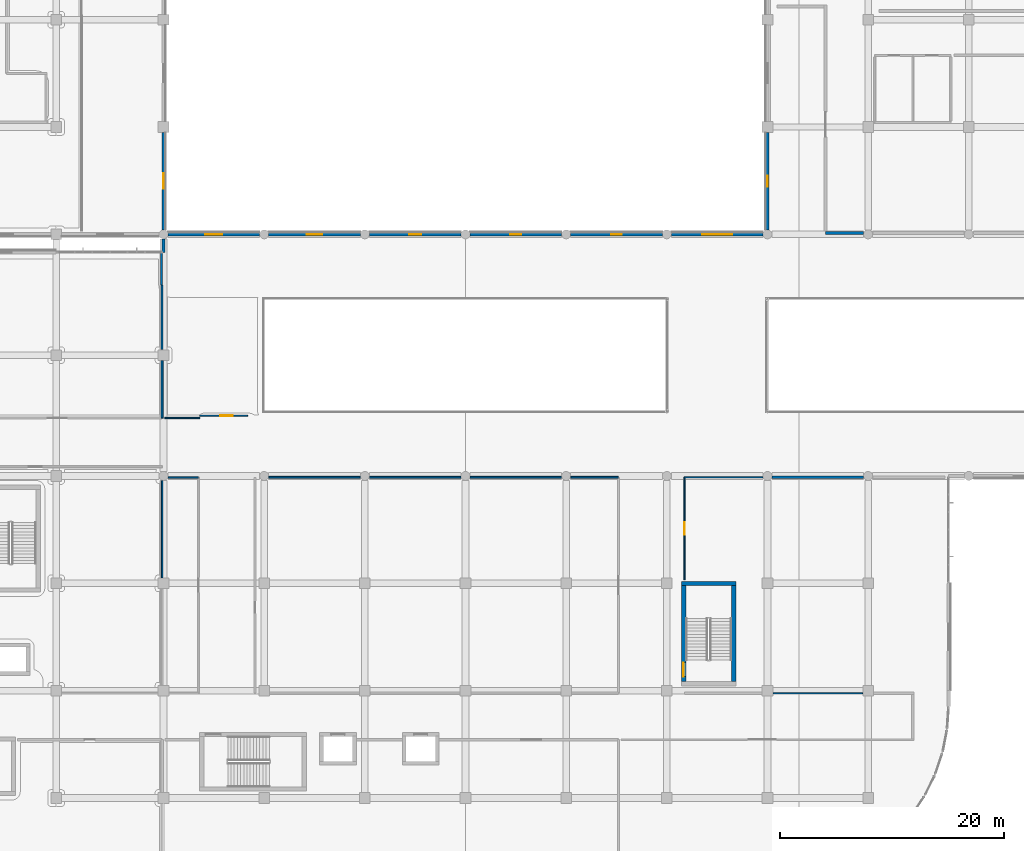
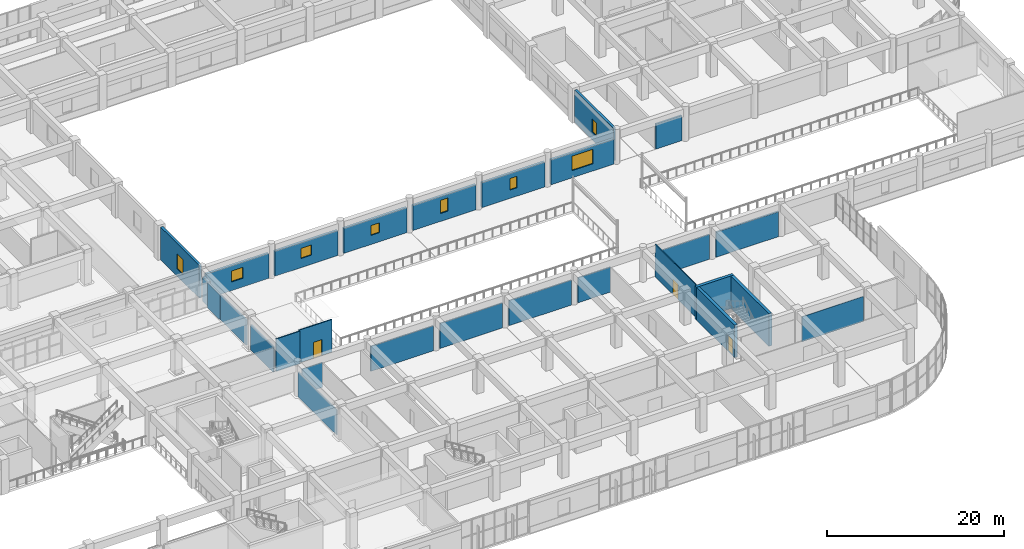
# One storey, part 55 of 86: 28 walls, 8 windows, 3 doors, 11 openings.
"""IFC4 building model written with IfcOpenShell, lengths in metres."""

from ifc_helpers import new_model, si_unit, direction, frame, frame_2d, origin, place, context, subcontext, project, spatial, rectangle, extrude, material, layer, layer_set, type_object, element, fill, save


model = new_model("IFC4")

# Units and contexts
model_context = context("Model", 3, precision=1e-05, world=origin(), true_north=direction((0.0, 1.0)))
body_context = subcontext(model_context, "Body", "Model", "MODEL_VIEW")
ifc_project = project(units=[si_unit("LENGTHUNIT", "METRE"), si_unit("AREAUNIT", "SQUARE_METRE"), si_unit("VOLUMEUNIT", "CUBIC_METRE"), si_unit("PLANEANGLEUNIT", "RADIAN"), si_unit("MASSUNIT", "GRAM", prefix="KILO")], contexts=[model_context])

# Site, building, storey
site_placement = place(None, origin())
site = spatial("IfcSite", under=ifc_project, at=site_placement, CompositionType="ELEMENT")
building_placement = place(site_placement, origin())
building = spatial("IfcBuilding", under=site, at=building_placement, Name="Cendralis Terraced Arcade", CompositionType="ELEMENT")
storey_placement = place(building_placement, frame((0.0, 0.0, 5.39990234375)))
storey = spatial("IfcBuildingStorey", under=building, at=storey_placement, Name="L01", CompositionType="ELEMENT", Elevation=5.39990234375)

# Walls
ifc_material_1 = material(Name="Gypsum plasterboard acoustic partition", Category="concrete")
ifc_layer_1 = layer(ifc_material_1, 0.205078125, Name="WL-ACOU-205")
ifc_layer_set_1 = layer_set([ifc_layer_1], Name="Gypsum plasterboard acoustic partition")
wall_type_1 = type_object("IfcWallType", Name="WL-ACOU-205", PredefinedType="PARTITIONING", material=ifc_layer_set_1)
wall_1_placement = place(storey_placement, frame((121.6201171875, 38.280029296875, 0.0), z_axis=(0.0, 0.0, 1.0), x_axis=(1.0, 0.0, 0.0)))
element("IfcWall", 1, at=wall_1_placement, inside=storey, type_object=wall_type_1, Name="Interior Partition Wall IW-L01-0405", PredefinedType="PARTITIONING", context=body_context, shape_type="SweptSolid", body=[
    extrude(rectangle(XDim=8.159912109375, YDim=0.205078125, at=frame_2d((4.080078125, 0.0))), origin(), (0.0, 0.0, 1.0), 3.445068359375),
])
ifc_material_2 = material(Name="Concrete f'c 42 MPa", Category="concrete")
ifc_layer_2 = layer(ifc_material_2, 0.3798828125, Name="WL-CORE-380")
ifc_layer_set_2 = layer_set([ifc_layer_2], Name="Concrete f'c 42 MPa")
wall_type_2 = type_object("IfcWallType", Name="WL-CORE-380", PredefinedType="SHEAR", material=ifc_layer_set_2)
wall_2_placement = place(storey_placement, frame((113.52001953125, 28.7900390625, 0.0), z_axis=(0.0, 0.0, 1.0), x_axis=(1.0, 0.0, 0.0)))
element("IfcWall", 2, at=wall_2_placement, inside=storey, type_object=wall_type_2, Name="Stair Core Reinforced Concrete Shear Wall SW-ST-09-L01-N", PredefinedType="SHEAR", context=body_context, shape_type="SweptSolid", body=[
    extrude(rectangle(XDim=4.85986328125, YDim=0.3798828125, at=frame_2d((2.429931640625, 0.0))), origin(), (0.0, 0.0, 1.0), 4.505126953125),
])
wall_3_placement = place(storey_placement, frame((118.18994140625, 20.0, 0.0), z_axis=(0.0, 0.0, 1.0), x_axis=(0.0, 1.0, 0.0)))
element("IfcWall", 3, at=wall_3_placement, inside=storey, type_object=wall_type_2, Name="Stair Core Reinforced Concrete Shear Wall SW-ST-09-L01-E", PredefinedType="SHEAR", context=body_context, shape_type="SweptSolid", body=[
    extrude(rectangle(XDim=8.60009765625, YDim=0.3798828125, at=frame_2d((4.300048828125, 0.0))), origin(), (0.0, 0.0, 1.0), 4.505126953125),
])

# Wall, opening, door
wall_4_placement = place(storey_placement, frame((113.7099609375, 20.0, 0.0), z_axis=(0.0, 0.0, 1.0), x_axis=(0.0, 1.0, 0.0)))
wall_4 = element("IfcWall", 4, at=wall_4_placement, inside=storey, type_object=wall_type_2, Name="Stair Core Reinforced Concrete Shear Wall SW-ST-09-L01-W", PredefinedType="SHEAR", context=body_context, shape_type="SweptSolid", body=[
    extrude(rectangle(XDim=8.60009765625, YDim=0.3798828125, at=frame_2d((4.300048828125, 0.0))), origin(), (0.0, 0.0, 1.0), 4.505126953125),
])
opening_1_placement = place(wall_4_placement, frame((0.449951171875, 0.0, 0.0)))
opening_1 = element("IfcOpeningElement", 5, at=opening_1_placement, cuts=wall_4, Name="Opening D-ST-09-L01", PredefinedType="OPENING", context=body_context, shape_type="SweptSolid", body=[
    extrude(rectangle(XDim=1.25, YDim=2.199951171875, at=frame_2d((0.625, 1.10009765625))), frame((0.0, 0.201904296875, 0.0), z_axis=(0.0, -1.0, 0.0), x_axis=(1.0, 0.0, 0.0)), (0.0, 0.0, 1.0), 0.40380859375),
])
ifc_material_3 = material(Name="Galvanised fire-rated steel door assembly", Category="steel")
door_type_1 = type_object("IfcDoorType", Name="ID-ST-1250x2200", OperationType="NOTDEFINED", PredefinedType="DOOR", material=ifc_material_3)
door_1_placement = place(opening_1_placement, frame((1.25, 0.0, 0.0), z_axis=(0.0, 0.0, 1.0), x_axis=(-1.0, 0.0, 0.0)))
door_1 = element("IfcDoor", 6, at=door_1_placement, inside=storey, type_object=door_type_1, Name="Protected Stair ST-09 Fire Door (L01)", OperationType="SINGLE_SWING_LEFT", OverallHeight=2.199951171875, OverallWidth=1.25, PredefinedType="DOOR", context=body_context, shape_type="SweptSolid", body=[
    extrude(rectangle(XDim=1.25, YDim=2.199951171875, at=frame_2d((0.625, 1.10009765625))), frame((0.0, 0.02490234375, 0.0), z_axis=(0.0, -1.0, 0.0), x_axis=(1.0, 0.0, 0.0)), (0.0, 0.0, 1.0), 0.050048828125),
])
fill(opening_1, door_1)

# Wall
ifc_material_4 = material(Name="Precast concrete f'c 40 MPa", Category="concrete")
ifc_layer_3 = layer(ifc_material_4, 0.300048828125, Name="WL-EXT-GRC-300")
ifc_layer_set_3 = layer_set([ifc_layer_3], Name="Precast concrete f'c 40 MPa")
wall_type_3 = type_object("IfcWallType", Name="WL-EXT-GRC-300", PredefinedType="SOLIDWALL", material=ifc_layer_set_3)
wall_5_placement = place(storey_placement, frame((67.199951171875, 58.39990234375, 0.0), z_axis=(0.0, 0.0, 1.0), x_axis=(0.0, 1.0, 0.0)))
element("IfcWall", 7, at=wall_5_placement, inside=storey, type_object=wall_type_3, Name="Exterior Architectural Wall EW-L01-0132", PredefinedType="SOLIDWALL", context=body_context, shape_type="SweptSolid", body=[
    extrude(rectangle(XDim=1.2021484375, YDim=0.300048828125, at=frame_2d((0.60107421875, 0.0))), origin(), (0.0, 0.0, 1.0), 3.445068359375),
])

# Wall, opening, window
wall_6_placement = place(storey_placement, frame((67.597900390625, 60.0, 0.0), z_axis=(0.0, 0.0, 1.0), x_axis=(1.0, 0.0, 0.0)))
wall_6 = element("IfcWall", 8, at=wall_6_placement, inside=storey, type_object=wall_type_3, Name="Exterior Architectural Wall EW-L01-0133", PredefinedType="SOLIDWALL", context=body_context, shape_type="SweptSolid", body=[
    extrude(rectangle(XDim=8.2041015625, YDim=0.300048828125, at=frame_2d((4.10205078125, 0.0))), origin(), (0.0, 0.0, 1.0), 3.445068359375),
])
opening_2_placement = place(wall_6_placement, frame((3.35205078125, 0.0, 1.199951171875)))
opening_2 = element("IfcOpeningElement", 9, at=opening_2_placement, cuts=wall_6, Name="Opening W-20", PredefinedType="OPENING", context=body_context, shape_type="SweptSolid", body=[
    extrude(rectangle(XDim=1.5, YDim=1.5, at=frame_2d((0.75, 0.75))), frame((0.0, 0.162109375, 0.0), z_axis=(0.0, -1.0, 0.0), x_axis=(1.0, 0.0, 0.0)), (0.0, 0.0, 1.0), 0.323974609375),
])
ifc_material_5 = material(Name="Tempered solar control laminated glass", Category="glass")
window_type_1 = type_object("IfcWindowType", Name="WN-BOH-1500x1500", PartitioningType="SINGLE_PANEL", PredefinedType="WINDOW", material=ifc_material_5)
window_1_placement = place(opening_2_placement, origin())
window_1 = element("IfcWindow", 10, at=window_1_placement, inside=storey, type_object=window_type_1, Name="Exterior Solar-Control Window WN-L01-0083", OverallHeight=1.5, OverallWidth=1.5, PartitioningType="SINGLE_PANEL", PredefinedType="WINDOW", context=body_context, shape_type="SweptSolid", body=[
    extrude(rectangle(XDim=1.5, YDim=1.5, at=frame_2d((0.75, 0.75))), frame((0.0, 0.030029296875, 0.0), z_axis=(0.0, -1.0, 0.0), x_axis=(1.0, 0.0, 0.0)), (0.0, 0.0, 1.0), 0.06005859375),
])
fill(opening_2, window_1)

wall_7_placement = place(storey_placement, frame((76.597900390625, 60.0, 0.0), z_axis=(0.0, 0.0, 1.0), x_axis=(1.0, 0.0, 0.0)))
wall_7 = element("IfcWall", 11, at=wall_7_placement, inside=storey, type_object=wall_type_3, Name="Exterior Architectural Wall EW-L01-0134", PredefinedType="SOLIDWALL", context=body_context, shape_type="SweptSolid", body=[
    extrude(rectangle(XDim=8.2041015625, YDim=0.300048828125, at=frame_2d((4.10205078125, 0.0))), origin(), (0.0, 0.0, 1.0), 3.445068359375),
])
opening_3_placement = place(wall_7_placement, frame((3.427001953125, 0.0, 1.25)))
opening_3 = element("IfcOpeningElement", 12, at=opening_3_placement, cuts=wall_7, Name="Opening W-21", PredefinedType="OPENING", context=body_context, shape_type="SweptSolid", body=[
    extrude(rectangle(XDim=1.35009765625, YDim=1.39990234375, at=frame_2d((0.675048828125, 0.699951171875))), frame((0.0, 0.162109375, 0.0), z_axis=(0.0, -1.0, 0.0), x_axis=(1.0, 0.0, 0.0)), (0.0, 0.0, 1.0), 0.323974609375),
])
window_type_2 = type_object("IfcWindowType", Name="WN-BOH-1350x1400", PartitioningType="SINGLE_PANEL", PredefinedType="WINDOW", material=ifc_material_5)
window_2_placement = place(opening_3_placement, origin())
window_2 = element("IfcWindow", 13, at=window_2_placement, inside=storey, type_object=window_type_2, Name="Exterior Solar-Control Window WN-L01-0084", OverallHeight=1.39990234375, OverallWidth=1.35009765625, PartitioningType="SINGLE_PANEL", PredefinedType="WINDOW", context=body_context, shape_type="SweptSolid", body=[
    extrude(rectangle(XDim=1.35009765625, YDim=1.39990234375, at=frame_2d((0.675048828125, 0.699951171875))), frame((0.0, 0.030029296875, 0.0), z_axis=(0.0, -1.0, 0.0), x_axis=(1.0, 0.0, 0.0)), (0.0, 0.0, 1.0), 0.06005859375),
])
fill(opening_3, window_2)

wall_8_placement = place(storey_placement, frame((85.597900390625, 60.0, 0.0), z_axis=(0.0, 0.0, 1.0), x_axis=(1.0, 0.0, 0.0)))
wall_8 = element("IfcWall", 14, at=wall_8_placement, inside=storey, type_object=wall_type_3, Name="Exterior Architectural Wall EW-L01-0135", PredefinedType="SOLIDWALL", context=body_context, shape_type="SweptSolid", body=[
    extrude(rectangle(XDim=8.2041015625, YDim=0.300048828125, at=frame_2d((4.10205078125, 0.0))), origin(), (0.0, 0.0, 1.0), 3.445068359375),
])
opening_4_placement = place(wall_8_placement, frame((3.552001953125, 0.0, 1.25)))
opening_4 = element("IfcOpeningElement", 15, at=opening_4_placement, cuts=wall_8, Name="Opening W-22", PredefinedType="OPENING", context=body_context, shape_type="SweptSolid", body=[
    extrude(rectangle(XDim=1.10009765625, YDim=1.35009765625, at=frame_2d((0.550048828125, 0.675048828125))), frame((0.0, 0.162109375, 0.0), z_axis=(0.0, -1.0, 0.0), x_axis=(1.0, 0.0, 0.0)), (0.0, 0.0, 1.0), 0.323974609375),
])
window_type_3 = type_object("IfcWindowType", Name="WN-BOH-1100x1350", PartitioningType="SINGLE_PANEL", PredefinedType="WINDOW", material=ifc_material_5)
window_3_placement = place(opening_4_placement, origin())
window_3 = element("IfcWindow", 16, at=window_3_placement, inside=storey, type_object=window_type_3, Name="Exterior Solar-Control Window WN-L01-0085", OverallHeight=1.35009765625, OverallWidth=1.10009765625, PartitioningType="SINGLE_PANEL", PredefinedType="WINDOW", context=body_context, shape_type="SweptSolid", body=[
    extrude(rectangle(XDim=1.10009765625, YDim=1.35009765625, at=frame_2d((0.550048828125, 0.675048828125))), frame((0.0, 0.030029296875, 0.0), z_axis=(0.0, -1.0, 0.0), x_axis=(1.0, 0.0, 0.0)), (0.0, 0.0, 1.0), 0.06005859375),
])
fill(opening_4, window_3)

wall_9_placement = place(storey_placement, frame((94.597900390625, 60.0, 0.0), z_axis=(0.0, 0.0, 1.0), x_axis=(1.0, 0.0, 0.0)))
wall_9 = element("IfcWall", 17, at=wall_9_placement, inside=storey, type_object=wall_type_3, Name="Exterior Architectural Wall EW-L01-0136", PredefinedType="SOLIDWALL", context=body_context, shape_type="SweptSolid", body=[
    extrude(rectangle(XDim=8.2041015625, YDim=0.300048828125, at=frame_2d((4.10205078125, 0.0))), origin(), (0.0, 0.0, 1.0), 3.445068359375),
])
opening_5_placement = place(wall_9_placement, frame((3.60205078125, 0.0, 1.10009765625)))
opening_5 = element("IfcOpeningElement", 18, at=opening_5_placement, cuts=wall_9, Name="Opening W-23", PredefinedType="OPENING", context=body_context, shape_type="SweptSolid", body=[
    extrude(rectangle(XDim=1.0, YDim=1.800048828125, at=frame_2d((0.5, 0.89990234375))), frame((0.0, 0.162109375, 0.0), z_axis=(0.0, -1.0, 0.0), x_axis=(1.0, 0.0, 0.0)), (0.0, 0.0, 1.0), 0.323974609375),
])
window_type_4 = type_object("IfcWindowType", Name="WN-ST-1000x1800", PartitioningType="SINGLE_PANEL", PredefinedType="WINDOW", material=ifc_material_5)
window_4_placement = place(opening_5_placement, origin())
window_4 = element("IfcWindow", 19, at=window_4_placement, inside=storey, type_object=window_type_4, Name="Exterior Solar-Control Window WN-L01-0086", OverallHeight=1.800048828125, OverallWidth=1.0, PartitioningType="SINGLE_PANEL", PredefinedType="WINDOW", context=body_context, shape_type="SweptSolid", body=[
    extrude(rectangle(XDim=1.0, YDim=1.800048828125, at=frame_2d((0.5, 0.89990234375))), frame((0.0, 0.030029296875, 0.0), z_axis=(0.0, -1.0, 0.0), x_axis=(1.0, 0.0, 0.0)), (0.0, 0.0, 1.0), 0.06005859375),
])
fill(opening_5, window_4)

wall_10_placement = place(storey_placement, frame((103.597900390625, 60.0, 0.0), z_axis=(0.0, 0.0, 1.0), x_axis=(1.0, 0.0, 0.0)))
wall_10 = element("IfcWall", 20, at=wall_10_placement, inside=storey, type_object=wall_type_3, Name="Exterior Architectural Wall EW-L01-0137", PredefinedType="SOLIDWALL", context=body_context, shape_type="SweptSolid", body=[
    extrude(rectangle(XDim=8.2041015625, YDim=0.300048828125, at=frame_2d((4.10205078125, 0.0))), origin(), (0.0, 0.0, 1.0), 3.445068359375),
])
opening_6_placement = place(wall_10_placement, frame((3.652099609375, 0.0, 1.14990234375)))
opening_6 = element("IfcOpeningElement", 21, at=opening_6_placement, cuts=wall_10, Name="Opening W-24", PredefinedType="OPENING", context=body_context, shape_type="SweptSolid", body=[
    extrude(rectangle(XDim=0.89990234375, YDim=1.60009765625, at=frame_2d((0.449951171875, 0.800048828125))), frame((0.0, 0.162109375, 0.0), z_axis=(0.0, -1.0, 0.0), x_axis=(1.0, 0.0, 0.0)), (0.0, 0.0, 1.0), 0.323974609375),
])
window_type_5 = type_object("IfcWindowType", Name="WN-ST-0900x1600", PartitioningType="SINGLE_PANEL", PredefinedType="WINDOW", material=ifc_material_5)
window_5_placement = place(opening_6_placement, origin())
window_5 = element("IfcWindow", 22, at=window_5_placement, inside=storey, type_object=window_type_5, Name="Exterior Solar-Control Window WN-L01-0087", OverallHeight=1.60009765625, OverallWidth=0.89990234375, PartitioningType="SINGLE_PANEL", PredefinedType="WINDOW", context=body_context, shape_type="SweptSolid", body=[
    extrude(rectangle(XDim=0.89990234375, YDim=1.60009765625, at=frame_2d((0.449951171875, 0.800048828125))), frame((0.0, 0.030029296875, 0.0), z_axis=(0.0, -1.0, 0.0), x_axis=(1.0, 0.0, 0.0)), (0.0, 0.0, 1.0), 0.06005859375),
])
fill(opening_6, window_5)

wall_11_placement = place(storey_placement, frame((112.597900390625, 60.0, 0.0), z_axis=(0.0, 0.0, 1.0), x_axis=(1.0, 0.0, 0.0)))
wall_11 = element("IfcWall", 23, at=wall_11_placement, inside=storey, type_object=wall_type_3, Name="Exterior Architectural Wall EW-L01-0138", PredefinedType="SOLIDWALL", context=body_context, shape_type="SweptSolid", body=[
    extrude(rectangle(XDim=8.2041015625, YDim=0.300048828125, at=frame_2d((4.10205078125, 0.0))), origin(), (0.0, 0.0, 1.0), 3.445068359375),
])
opening_7_placement = place(wall_11_placement, frame((2.751953125, 0.0, 1.0)))
opening_7 = element("IfcOpeningElement", 24, at=opening_7_placement, cuts=wall_11, Name="Opening W-25", PredefinedType="OPENING", context=body_context, shape_type="SweptSolid", body=[
    extrude(rectangle(XDim=2.699951171875, YDim=2.0, at=frame_2d((1.35009765625, 1.0))), frame((0.0, 0.162109375, 0.0), z_axis=(0.0, -1.0, 0.0), x_axis=(1.0, 0.0, 0.0)), (0.0, 0.0, 1.0), 0.323974609375),
])
window_type_6 = type_object("IfcWindowType", Name="WN-F3-2700x2000", PartitioningType="SINGLE_PANEL", PredefinedType="WINDOW", material=ifc_material_5)
window_6_placement = place(opening_7_placement, origin())
window_6 = element("IfcWindow", 25, at=window_6_placement, inside=storey, type_object=window_type_6, Name="Exterior Solar-Control Window WN-L01-0088", OverallHeight=2.0, OverallWidth=2.699951171875, PartitioningType="SINGLE_PANEL", PredefinedType="WINDOW", context=body_context, shape_type="SweptSolid", body=[
    extrude(rectangle(XDim=2.699951171875, YDim=2.0, at=frame_2d((1.35009765625, 1.0))), frame((0.0, 0.030029296875, 0.0), z_axis=(0.0, -1.0, 0.0), x_axis=(1.0, 0.0, 0.0)), (0.0, 0.0, 1.0), 0.06005859375),
])
fill(opening_7, window_6)

wall_12_placement = place(storey_placement, frame((121.199951171875, 60.39794921875, 0.0), z_axis=(0.0, 0.0, 1.0), x_axis=(0.0, 1.0, 0.0)))
wall_12 = element("IfcWall", 26, at=wall_12_placement, inside=storey, type_object=wall_type_3, Name="Exterior Architectural Wall EW-L01-0139", PredefinedType="SOLIDWALL", context=body_context, shape_type="SweptSolid", body=[
    extrude(rectangle(XDim=8.72900390625, YDim=0.300048828125, at=frame_2d((4.364501953125, 0.0))), origin(), (0.0, 0.0, 1.0), 4.505126953125),
])
opening_8_placement = place(wall_12_placement, frame((3.864501953125, 0.0, 1.10009765625)))
opening_8 = element("IfcOpeningElement", 27, at=opening_8_placement, cuts=wall_12, Name="Opening W-23", PredefinedType="OPENING", context=body_context, shape_type="SweptSolid", body=[
    extrude(rectangle(XDim=1.0, YDim=1.800048828125, at=frame_2d((0.5, 0.89990234375))), frame((0.0, 0.162109375, 0.0), z_axis=(0.0, -1.0, 0.0), x_axis=(1.0, 0.0, 0.0)), (0.0, 0.0, 1.0), 0.323974609375),
])
window_7_placement = place(opening_8_placement, origin())
window_7 = element("IfcWindow", 28, at=window_7_placement, inside=storey, type_object=window_type_4, Name="Exterior Solar-Control Window WN-L01-0089", OverallHeight=1.800048828125, OverallWidth=1.0, PartitioningType="SINGLE_PANEL", PredefinedType="WINDOW", context=body_context, shape_type="SweptSolid", body=[
    extrude(rectangle(XDim=1.0, YDim=1.800048828125, at=frame_2d((0.5, 0.89990234375))), frame((0.0, 0.030029296875, 0.0), z_axis=(0.0, -1.0, 0.0), x_axis=(1.0, 0.0, 0.0)), (0.0, 0.0, 1.0), 0.06005859375),
])
fill(opening_8, window_7)

wall_13_placement = place(storey_placement, frame((67.199951171875, 69.126953125, 0.0), z_axis=(0.0, 0.0, 1.0), x_axis=(0.0, -1.0, 0.0)))
wall_13 = element("IfcWall", 29, at=wall_13_placement, inside=storey, type_object=wall_type_3, Name="Exterior Architectural Wall EW-L01-0152", PredefinedType="SOLIDWALL", context=body_context, shape_type="SweptSolid", body=[
    extrude(rectangle(XDim=8.72900390625, YDim=0.300048828125, at=frame_2d((4.364501953125, 0.0))), origin(), (0.0, 0.0, 1.0), 4.505126953125),
])
opening_9_placement = place(wall_13_placement, frame((3.66455078125, 0.0, 1.0)))
opening_9 = element("IfcOpeningElement", 30, at=opening_9_placement, cuts=wall_13, Name="Opening W-06", PredefinedType="OPENING", context=body_context, shape_type="SweptSolid", body=[
    extrude(rectangle(XDim=1.39990234375, YDim=2.10009765625, at=frame_2d((0.699951171875, 1.050048828125))), frame((0.0, 0.162109375, 0.0), z_axis=(0.0, -1.0, 0.0), x_axis=(1.0, 0.0, 0.0)), (0.0, 0.0, 1.0), 0.323974609375),
])
window_type_7 = type_object("IfcWindowType", Name="WN-F1-1400x2100", PartitioningType="SINGLE_PANEL", PredefinedType="WINDOW", material=ifc_material_5)
window_8_placement = place(opening_9_placement, origin())
window_8 = element("IfcWindow", 31, at=window_8_placement, inside=storey, type_object=window_type_7, Name="Exterior Solar-Control Window WN-L01-0102", OverallHeight=2.10009765625, OverallWidth=1.39990234375, PartitioningType="SINGLE_PANEL", PredefinedType="WINDOW", context=body_context, shape_type="SweptSolid", body=[
    extrude(rectangle(XDim=1.39990234375, YDim=2.10009765625, at=frame_2d((0.699951171875, 1.050048828125))), frame((0.0, 0.030029296875, 0.0), z_axis=(0.0, -1.0, 0.0), x_axis=(1.0, 0.0, 0.0)), (0.0, 0.0, 1.0), 0.06005859375),
])
fill(opening_9, window_8)

# Walls
ifc_material_6 = material(Name="Autoclaved aerated concrete blockwork", Category="masonry")
ifc_layer_4 = layer(ifc_material_6, 0.241943359375, Name="WL-FIRE-242")
ifc_layer_set_4 = layer_set([ifc_layer_4], Name="Autoclaved aerated concrete blockwork")
wall_type_4 = type_object("IfcWallType", Name="WL-FIRE-242", PredefinedType="PARTITIONING", material=ifc_layer_set_4)
wall_14_placement = place(storey_placement, frame((129.780029296875, 60.1201171875, 0.0), z_axis=(0.0, 0.0, 1.0), x_axis=(-1.0, 0.0, 0.0)))
element("IfcWall", 32, at=wall_14_placement, inside=storey, type_object=wall_type_4, Name="Interior Partition Wall IW-L01-0422", PredefinedType="PARTITIONING", context=body_context, shape_type="SweptSolid", body=[
    extrude(rectangle(XDim=3.400146484375, YDim=0.241943359375, at=frame_2d((1.7001953125, 0.0))), origin(), (0.0, 0.0, 1.0), 3.445068359375),
])
ifc_layer_5 = layer(ifc_material_1, 0.10791015625, Name="WL-PART-108")
ifc_layer_set_5 = layer_set([ifc_layer_5], Name="Gypsum plasterboard acoustic partition")
wall_type_5 = type_object("IfcWallType", Name="WL-PART-108", PredefinedType="PARTITIONING", material=ifc_layer_set_5)
wall_15_placement = place(storey_placement, frame((113.780029296875, 38.280029296875, 0.0), z_axis=(0.0, 0.0, 1.0), x_axis=(1.0, 0.0, 0.0)))
element("IfcWall", 33, at=wall_15_placement, inside=storey, type_object=wall_type_5, Name="Interior Partition Wall IW-L01-0401", PredefinedType="PARTITIONING", context=body_context, shape_type="SweptSolid", body=[
    extrude(rectangle(XDim=7.0, YDim=0.10791015625, at=frame_2d((3.5, 0.0))), origin(), (0.0, 0.0, 1.0), 3.445068359375),
])
ifc_layer_6 = layer(ifc_material_1, 0.112060546875, Name="WL-PART-112")
ifc_layer_set_6 = layer_set([ifc_layer_6], Name="Gypsum plasterboard acoustic partition")
wall_type_6 = type_object("IfcWallType", Name="WL-PART-112", PredefinedType="PARTITIONING", material=ifc_layer_set_6)
wall_16_placement = place(storey_placement, frame((129.705078125, 18.97998046875, 0.0), z_axis=(0.0, 0.0, 1.0), x_axis=(-1.0, 0.0, 0.0)))
element("IfcWall", 34, at=wall_16_placement, inside=storey, type_object=wall_type_6, Name="Interior Partition Wall IW-L01-0400", PredefinedType="PARTITIONING", context=body_context, shape_type="SweptSolid", body=[
    extrude(rectangle(XDim=8.010009765625, YDim=0.112060546875, at=frame_2d((4.0048828125, 0.0))), origin(), (0.0, 0.0, 1.0), 3.445068359375),
])

# Wall, opening, door
ifc_layer_7 = layer(ifc_material_1, 0.114990234375, Name="WL-PART-115")
ifc_layer_set_7 = layer_set([ifc_layer_7], Name="Gypsum plasterboard acoustic partition")
wall_type_7 = type_object("IfcWallType", Name="WL-PART-115", PredefinedType="PARTITIONING", material=ifc_layer_set_7)
wall_17_placement = place(storey_placement, frame((113.780029296875, 29.126220703125, 0.0), z_axis=(0.0, 0.0, 1.0), x_axis=(0.0, 1.0, 0.0)))
wall_17 = element("IfcWall", 35, at=wall_17_placement, inside=storey, type_object=wall_type_7, Name="Interior Partition Wall IW-L01-0399", PredefinedType="PARTITIONING", context=body_context, shape_type="SweptSolid", body=[
    extrude(rectangle(XDim=9.15380859375, YDim=0.114990234375, at=frame_2d((4.576904296875, 0.0))), origin(), (0.0, 0.0, 1.0), 4.505126953125),
])
opening_10_placement = place(wall_17_placement, frame((4.027099609375, 0.0, 0.0)))
opening_10 = element("IfcOpeningElement", 36, at=opening_10_placement, cuts=wall_17, Name="Opening D-L01-112", PredefinedType="OPENING", context=body_context, shape_type="SweptSolid", body=[
    extrude(rectangle(XDim=1.10009765625, YDim=2.14990234375, at=frame_2d((0.550048828125, 1.074951171875))), frame((0.0, 0.0693359375, 0.0), z_axis=(0.0, -1.0, 0.0), x_axis=(1.0, 0.0, 0.0)), (0.0, 0.0, 1.0), 0.138916015625),
])
ifc_material_7 = material(Name="Solid core Andean oak veneer door leaf", Category="aluminium")
door_type_2 = type_object("IfcDoorType", Name="ID-RM-1100x2150", OperationType="NOTDEFINED", PredefinedType="DOOR", material=ifc_material_7)
door_2_placement = place(opening_10_placement, origin())
door_2 = element("IfcDoor", 37, at=door_2_placement, inside=storey, type_object=door_type_2, Name="Specialty Patisserie and Wine Gallery Door D-L01-112", OperationType="SINGLE_SWING_RIGHT", OverallHeight=2.14990234375, OverallWidth=1.10009765625, PredefinedType="DOOR", context=body_context, shape_type="SweptSolid", body=[
    extrude(rectangle(XDim=1.10009765625, YDim=2.14990234375, at=frame_2d((0.550048828125, 1.074951171875))), frame((0.0, 0.02490234375, 0.0), z_axis=(0.0, -1.0, 0.0), x_axis=(1.0, 0.0, 0.0)), (0.0, 0.0, 1.0), 0.050048828125),
])
fill(opening_10, door_2)

# Wall
ifc_layer_8 = layer(ifc_material_1, 0.1259765625, Name="WL-PART-126")
ifc_layer_set_8 = layer_set([ifc_layer_8], Name="Gypsum plasterboard acoustic partition")
wall_type_8 = type_object("IfcWallType", Name="WL-PART-126", PredefinedType="PARTITIONING", material=ifc_layer_set_8)
wall_18_placement = place(storey_placement, frame((70.4296875, 43.580078125, 0.0), z_axis=(0.0, 0.0, 1.0), x_axis=(-1.0, 0.0, 0.0)))
element("IfcWall", 38, at=wall_18_placement, inside=storey, type_object=wall_type_8, Name="Interior Partition Wall IW-L01-0354", PredefinedType="PARTITIONING", context=body_context, shape_type="SweptSolid", body=[
    extrude(rectangle(XDim=3.109619140625, YDim=0.1259765625, at=frame_2d((1.5546875, 0.0))), origin(), (0.0, 0.0, 1.0), 4.505126953125),
])

# Wall, opening, door
ifc_layer_9 = layer(ifc_material_1, 0.1298828125, Name="WL-PART-130")
ifc_layer_set_9 = layer_set([ifc_layer_9], Name="Gypsum plasterboard acoustic partition")
wall_type_9 = type_object("IfcWallType", Name="WL-PART-130", PredefinedType="PARTITIONING", material=ifc_layer_set_9)
wall_19_placement = place(storey_placement, frame((74.719482421875, 43.780029296875, 0.0), z_axis=(0.0, 0.0, 1.0), x_axis=(-1.0, 0.0, 0.0)))
wall_19 = element("IfcWall", 39, at=wall_19_placement, inside=storey, type_object=wall_type_9, Name="Interior Partition Wall IW-L01-0353", PredefinedType="PARTITIONING", context=body_context, shape_type="SweptSolid", body=[
    extrude(rectangle(XDim=4.289794921875, YDim=0.1298828125, at=frame_2d((2.14501953125, 0.0))), origin(), (0.0, 0.0, 1.0), 4.505126953125),
])
opening_11_placement = place(wall_19_placement, frame((1.309326171875, 0.0, 0.0)))
opening_11 = element("IfcOpeningElement", 40, at=opening_11_placement, cuts=wall_19, Name="Opening D-L01-099", PredefinedType="OPENING", context=body_context, shape_type="SweptSolid", body=[
    extrude(rectangle(XDim=1.1201171875, YDim=2.179931640625, at=frame_2d((0.56005859375, 1.08984375))), frame((0.0, 0.076904296875, 0.0), z_axis=(0.0, -1.0, 0.0), x_axis=(1.0, 0.0, 0.0)), (0.0, 0.0, 1.0), 0.15380859375),
])
door_type_3 = type_object("IfcDoorType", Name="ID-RM-1120x2180", OperationType="NOTDEFINED", PredefinedType="DOOR", material=ifc_material_7)
door_3_placement = place(opening_11_placement, origin())
door_3 = element("IfcDoor", 41, at=door_3_placement, inside=storey, type_object=door_type_3, Name="Arcade Mezzanine Watch and Jewellery Pavilions Door D-L01-099", OperationType="SINGLE_SWING_LEFT", OverallHeight=2.179931640625, OverallWidth=1.1201171875, PredefinedType="DOOR", context=body_context, shape_type="SweptSolid", body=[
    extrude(rectangle(XDim=1.1201171875, YDim=2.179931640625, at=frame_2d((0.56005859375, 1.08984375))), frame((0.0, 0.02490234375, 0.0), z_axis=(0.0, -1.0, 0.0), x_axis=(1.0, 0.0, 0.0)), (0.0, 0.0, 1.0), 0.050048828125),
])
fill(opening_11, door_3)

# Walls
wall_20_placement = place(storey_placement, frame((67.6201171875, 38.280029296875, 0.0), z_axis=(0.0, 0.0, 1.0), x_axis=(1.0, 0.0, 0.0)))
element("IfcWall", 42, at=wall_20_placement, inside=storey, type_object=wall_type_9, Name="Interior Partition Wall IW-L01-0396", PredefinedType="PARTITIONING", context=body_context, shape_type="SweptSolid", body=[
    extrude(rectangle(XDim=2.699951171875, YDim=0.1298828125, at=frame_2d((1.35009765625, 0.0))), origin(), (0.0, 0.0, 1.0), 3.445068359375),
])
ifc_layer_10 = layer(ifc_material_1, 0.14208984375, Name="WL-PART-142")
ifc_layer_set_10 = layer_set([ifc_layer_10], Name="Gypsum plasterboard acoustic partition")
wall_type_10 = type_object("IfcWallType", Name="WL-PART-142", PredefinedType="PARTITIONING", material=ifc_layer_set_10)
wall_21_placement = place(storey_placement, frame((67.080078125, 37.97998046875, 0.0), z_axis=(0.0, 0.0, 1.0), x_axis=(0.0, -1.0, 0.0)))
element("IfcWall", 43, at=wall_21_placement, inside=storey, type_object=wall_type_10, Name="Interior Partition Wall IW-L01-0351", PredefinedType="PARTITIONING", context=body_context, shape_type="SweptSolid", body=[
    extrude(rectangle(XDim=8.68505859375, YDim=0.14208984375, at=frame_2d((4.342529296875, 0.0))), origin(), (0.0, 0.0, 1.0), 3.445068359375),
])
wall_22_placement = place(storey_placement, frame((103.6201171875, 38.280029296875, 0.0), z_axis=(0.0, 0.0, 1.0), x_axis=(1.0, 0.0, 0.0)))
element("IfcWall", 44, at=wall_22_placement, inside=storey, type_object=wall_type_10, Name="Interior Partition Wall IW-L01-0394", PredefinedType="PARTITIONING", context=body_context, shape_type="SweptSolid", body=[
    extrude(rectangle(XDim=4.259765625, YDim=0.14208984375, at=frame_2d((2.1298828125, 0.0))), origin(), (0.0, 0.0, 1.0), 3.445068359375),
])
ifc_layer_11 = layer(ifc_material_1, 0.14501953125, Name="WL-PART-145")
ifc_layer_set_11 = layer_set([ifc_layer_11], Name="Gypsum plasterboard acoustic partition")
wall_type_11 = type_object("IfcWallType", Name="WL-PART-145", PredefinedType="PARTITIONING", material=ifc_layer_set_11)
wall_23_placement = place(storey_placement, frame((94.6201171875, 38.280029296875, 0.0), z_axis=(0.0, 0.0, 1.0), x_axis=(1.0, 0.0, 0.0)))
element("IfcWall", 45, at=wall_23_placement, inside=storey, type_object=wall_type_11, Name="Interior Partition Wall IW-L01-0393", PredefinedType="PARTITIONING", context=body_context, shape_type="SweptSolid", body=[
    extrude(rectangle(XDim=8.159912109375, YDim=0.14501953125, at=frame_2d((4.080078125, 0.0))), origin(), (0.0, 0.0, 1.0), 3.445068359375),
])
ifc_layer_12 = layer(ifc_material_1, 0.14990234375, Name="WL-PART-150")
ifc_layer_set_12 = layer_set([ifc_layer_12], Name="Gypsum plasterboard acoustic partition")
wall_type_12 = type_object("IfcWallType", Name="WL-PART-150", PredefinedType="PARTITIONING", material=ifc_layer_set_12)
wall_24_placement = place(storey_placement, frame((85.6201171875, 38.280029296875, 0.0), z_axis=(0.0, 0.0, 1.0), x_axis=(1.0, 0.0, 0.0)))
element("IfcWall", 46, at=wall_24_placement, inside=storey, type_object=wall_type_12, Name="Interior Partition Wall IW-L01-0392", PredefinedType="PARTITIONING", context=body_context, shape_type="SweptSolid", body=[
    extrude(rectangle(XDim=8.159912109375, YDim=0.14990234375, at=frame_2d((4.080078125, 0.0))), origin(), (0.0, 0.0, 1.0), 3.445068359375),
])
ifc_layer_13 = layer(ifc_material_1, 0.154052734375, Name="WL-PART-154")
ifc_layer_set_13 = layer_set([ifc_layer_13], Name="Gypsum plasterboard acoustic partition")
wall_type_13 = type_object("IfcWallType", Name="WL-PART-154", PredefinedType="PARTITIONING", material=ifc_layer_set_13)
wall_25_placement = place(storey_placement, frame((76.6201171875, 38.280029296875, 0.0), z_axis=(0.0, 0.0, 1.0), x_axis=(1.0, 0.0, 0.0)))
element("IfcWall", 47, at=wall_25_placement, inside=storey, type_object=wall_type_13, Name="Interior Partition Wall IW-L01-0391", PredefinedType="PARTITIONING", context=body_context, shape_type="SweptSolid", body=[
    extrude(rectangle(XDim=8.159912109375, YDim=0.154052734375, at=frame_2d((4.080078125, 0.0))), origin(), (0.0, 0.0, 1.0), 3.445068359375),
])
ifc_layer_14 = layer(ifc_material_1, 0.169921875, Name="WL-PART-170")
ifc_layer_set_14 = layer_set([ifc_layer_14], Name="Gypsum plasterboard acoustic partition")
wall_type_14 = type_object("IfcWallType", Name="WL-PART-170", PredefinedType="PARTITIONING", material=ifc_layer_set_14)
wall_26_placement = place(storey_placement, frame((67.02001953125, 58.340087890625, 0.0), z_axis=(0.0, 0.0, 1.0), x_axis=(0.0, -1.0, 0.0)))
element("IfcWall", 48, at=wall_26_placement, inside=storey, type_object=wall_type_14, Name="Interior Partition Wall IW-L01-0346", PredefinedType="PARTITIONING", context=body_context, shape_type="SweptSolid", body=[
    extrude(rectangle(XDim=2.860107421875, YDim=0.169921875, at=frame_2d((1.43017578125, 0.0))), origin(), (0.0, 0.0, 1.0), 3.445068359375),
])
ifc_layer_15 = layer(ifc_material_1, 0.175048828125, Name="WL-PART-175")
ifc_layer_set_15 = layer_set([ifc_layer_15], Name="Gypsum plasterboard acoustic partition")
wall_type_15 = type_object("IfcWallType", Name="WL-PART-175", PredefinedType="PARTITIONING", material=ifc_layer_set_15)
wall_27_placement = place(storey_placement, frame((67.080078125, 48.705078125, 0.0), z_axis=(0.0, 0.0, 1.0), x_axis=(0.0, -1.0, 0.0)))
element("IfcWall", 49, at=wall_27_placement, inside=storey, type_object=wall_type_15, Name="Interior Partition Wall IW-L01-0345", PredefinedType="PARTITIONING", context=body_context, shape_type="SweptSolid", body=[
    extrude(rectangle(XDim=5.125, YDim=0.175048828125, at=frame_2d((2.5625, 0.0))), origin(), (0.0, 0.0, 1.0), 3.445068359375),
])
ifc_layer_16 = layer(ifc_material_1, 0.179931640625, Name="WL-PART-180")
ifc_layer_set_16 = layer_set([ifc_layer_16], Name="Gypsum plasterboard acoustic partition")
wall_type_16 = type_object("IfcWallType", Name="WL-PART-180", PredefinedType="PARTITIONING", material=ifc_layer_set_16)
wall_28_placement = place(storey_placement, frame((67.080078125, 55.47998046875, 0.0), z_axis=(0.0, 0.0, 1.0), x_axis=(0.0, -1.0, 0.0)))
element("IfcWall", 50, at=wall_28_placement, inside=storey, type_object=wall_type_16, Name="Interior Partition Wall IW-L01-0344", PredefinedType="PARTITIONING", context=body_context, shape_type="SweptSolid", body=[
    extrude(rectangle(XDim=5.784912109375, YDim=0.179931640625, at=frame_2d((2.892578125, 0.0))), origin(), (0.0, 0.0, 1.0), 3.445068359375),
])

save(model, "model.ifc")
